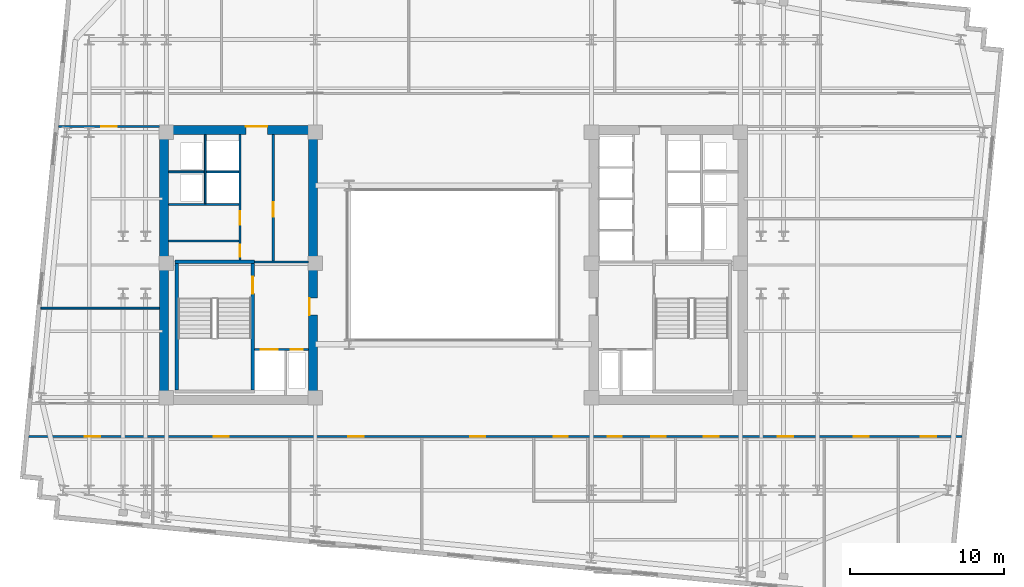
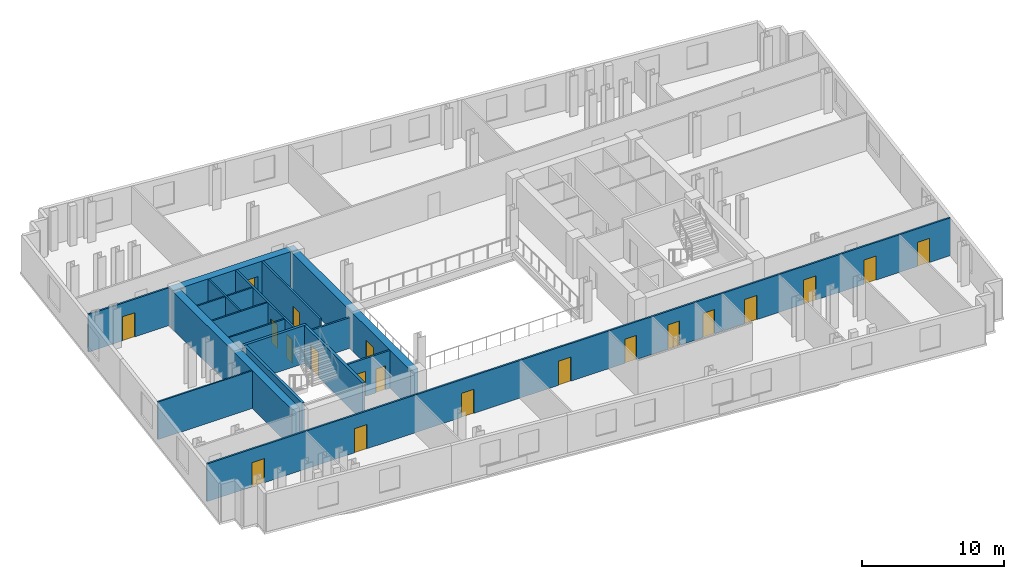
# One storey, part 4 of 9: 20 doors, 18 walls, 20 openings.
"""IFC4 building model written with IfcOpenShell, lengths in metres."""

from ifc_helpers import new_model, si_unit, direction, frame, frame_2d, origin, place, context, subcontext, project, spatial, rectangle, extrude, material, layer, layer_set, type_object, element, fill, save


model = new_model("IFC4")

# Units and contexts
model_context = context("Model", 3, precision=1e-05, world=origin(), true_north=direction((0.0, 1.0)))
body_context = subcontext(model_context, "Body", "Model", "MODEL_VIEW")
ifc_project = project(units=[si_unit("LENGTHUNIT", "METRE"), si_unit("AREAUNIT", "SQUARE_METRE"), si_unit("VOLUMEUNIT", "CUBIC_METRE"), si_unit("PLANEANGLEUNIT", "RADIAN"), si_unit("MASSUNIT", "GRAM", prefix="KILO")], contexts=[model_context])

# Site, building, storey
site_placement = place(None, origin())
site = spatial("IfcSite", under=ifc_project, at=site_placement, CompositionType="ELEMENT")
building_placement = place(site_placement, origin())
building = spatial("IfcBuilding", under=site, at=building_placement, Name="Velakula Bourse", CompositionType="ELEMENT")
storey_placement = place(building_placement, frame((0.0, 0.0, 170.75)))
storey = spatial("IfcBuildingStorey", under=building, at=storey_placement, Name="L46", CompositionType="ELEMENT", Elevation=170.75)

# Wall, opening, door
ifc_material_1 = material(Name="Concrete M50 (fck 50 MPa)", Category="concrete")
ifc_layer_1 = layer(ifc_material_1, 0.2099609375, Name="Concrete M50 (fck 50 MPa)", Category="concrete")
ifc_layer_set_1 = layer_set([ifc_layer_1], Name="Concrete M50 (fck 50 MPa)")
wall_type_1 = type_object("IfcWallType", Name="WL-CORE-210", PredefinedType="SHEAR", material=ifc_layer_set_1)
wall_1_placement = place(storey_placement, frame((-12.9951171875, -8.10009765625, 0.0), z_axis=(0.0, 0.0, 1.0), x_axis=(0.0, 1.0, 0.0)))
wall_1 = element("IfcWall", 1, at=wall_1_placement, inside=storey, type_object=wall_type_1, Name="L46 Core W Stairwell Shear Wall IN", PredefinedType="SHEAR", context=body_context, shape_type="SweptSolid", body=[
    extrude(rectangle(XDim=8.2001953125, YDim=0.2099609375, at=frame_2d((4.10009765625, 0.0))), origin(), (0.0, 0.0, 1.0), 3.27001953125),
])
opening_1_placement = place(wall_1_placement, frame((6.25, 0.0, 0.0)))
opening_1 = element("IfcOpeningElement", 2, at=opening_1_placement, cuts=wall_1, Name="Opening D-STW1", PredefinedType="OPENING", context=body_context, shape_type="SweptSolid", body=[
    extrude(rectangle(XDim=1.10009765625, YDim=2.14990234375, at=frame_2d((0.550048828125, 1.074951171875))), frame((0.0, 0.114990234375, 0.0), z_axis=(0.0, -1.0, 0.0), x_axis=(1.0, 0.0, 0.0)), (0.0, 0.0, 1.0), 0.22998046875),
])
ifc_material_2 = material(Name="Galvanised painted hollow steel fire door", Category="steel")
door_type_1 = type_object("IfcDoorType", Name="DR-FD120-1100x2150", OperationType="NOTDEFINED", PredefinedType="DOOR", material=ifc_material_2)
door_1_placement = place(opening_1_placement, origin())
door_1 = element("IfcDoor", 3, at=door_1_placement, inside=storey, type_object=door_type_1, Name="L46 Stair ST-W1 Fire Door", OperationType="SINGLE_SWING_LEFT", OverallHeight=2.14990234375, OverallWidth=1.10009765625, PredefinedType="DOOR", context=body_context, shape_type="SweptSolid", body=[
    extrude(rectangle(XDim=1.10009765625, YDim=2.14990234375, at=frame_2d((0.550048828125, 1.074951171875))), frame((0.0, 0.02490234375, 0.0), z_axis=(0.0, -1.0, 0.0), x_axis=(1.0, 0.0, 0.0)), (0.0, 0.0, 1.0), 0.050048828125),
])
fill(opening_1, door_1)

# Walls
wall_2_placement = place(storey_placement, frame((-17.925048828125, -8.10009765625, 0.0), z_axis=(0.0, 0.0, 1.0), x_axis=(0.0, 1.0, 0.0)))
element("IfcWall", 4, at=wall_2_placement, inside=storey, type_object=wall_type_1, Name="L46 Core W Stairwell Shear Wall OUT", PredefinedType="SHEAR", context=body_context, shape_type="SweptSolid", body=[
    extrude(rectangle(XDim=8.2001953125, YDim=0.2099609375, at=frame_2d((4.10009765625, 0.0))), origin(), (0.0, 0.0, 1.0), 3.27001953125),
])
wall_3_placement = place(storey_placement, frame((-12.889892578125, 0.205078125, 0.0), z_axis=(0.0, 0.0, 1.0), x_axis=(-1.0, 0.0, 0.0)))
element("IfcWall", 5, at=wall_3_placement, inside=storey, type_object=wall_type_1, Name="L46 Core W Stairwell Shear Wall N", PredefinedType="SHEAR", context=body_context, shape_type="SweptSolid", body=[
    extrude(rectangle(XDim=5.14013671875, YDim=0.2099609375, at=frame_2d((2.570068359375, 0.0))), origin(), (0.0, 0.0, 1.0), 3.27001953125),
])

# Wall, opening, door
ifc_material_3 = material(Name="Concrete M70 (fck 70 MPa)", Category="concrete")
ifc_layer_2 = layer(ifc_material_3, 0.60009765625, Name="Concrete M70 (fck 70 MPa)", Category="concrete")
ifc_layer_set_2 = layer_set([ifc_layer_2], Name="Concrete M70 (fck 70 MPa)")
wall_type_2 = type_object("IfcWallType", Name="WL-CORE-600", PredefinedType="SHEAR", material=ifc_layer_set_2)
wall_4_placement = place(storey_placement, frame((-19.050048828125, 8.75, 0.0), z_axis=(0.0, 0.0, 1.0), x_axis=(1.0, 0.0, 0.0)))
wall_4 = element("IfcWall", 6, at=wall_4_placement, inside=storey, type_object=wall_type_2, Name="L46 Core W Shear Wall N", PredefinedType="SHEAR", context=body_context, shape_type="SweptSolid", body=[
    extrude(rectangle(XDim=10.25, YDim=0.60009765625, at=frame_2d((5.125, 0.0))), origin(), (0.0, 0.0, 1.0), 3.27001953125),
])
opening_2_placement = place(wall_4_placement, frame((5.60009765625, 0.0, 0.0)))
opening_2 = element("IfcOpeningElement", 7, at=opening_2_placement, cuts=wall_4, Name="Opening D-LLW", PredefinedType="OPENING", context=body_context, shape_type="SweptSolid", body=[
    extrude(rectangle(XDim=1.39990234375, YDim=2.050048828125, at=frame_2d((0.699951171875, 1.02490234375))), frame((0.0, 0.31005859375, 0.0), z_axis=(0.0, -1.0, 0.0), x_axis=(1.0, 0.0, 0.0)), (0.0, 0.0, 1.0), 0.6201171875),
])
ifc_material_4 = material(Name="Fire-rated hardwood flush architectural door", Category="wood")
door_type_2 = type_object("IfcDoorType", Name="DR-DBL-FD60-1400", OperationType="DOUBLE_DOOR_SINGLE_SWING", PredefinedType="DOOR", material=ifc_material_4)
door_2_placement = place(opening_2_placement, origin())
door_2 = element("IfcDoor", 8, at=door_2_placement, inside=storey, type_object=door_type_2, Name="L46 Core W Lift Lobby Corridor Double Door", OperationType="DOUBLE_DOOR_SINGLE_SWING", OverallHeight=2.050048828125, OverallWidth=1.39990234375, PredefinedType="DOOR", context=body_context, shape_type="SweptSolid", body=[
    extrude(rectangle(XDim=1.39990234375, YDim=2.050048828125, at=frame_2d((0.699951171875, 1.02490234375))), frame((0.0, 0.2451171875, 0.0), z_axis=(0.0, -1.0, 0.0), x_axis=(1.0, 0.0, 0.0)), (0.0, 0.0, 1.0), 0.050048828125),
])
fill(opening_2, door_2)

# Wall
wall_5_placement = place(storey_placement, frame((-18.75, -8.449951171875, 0.0), z_axis=(0.0, 0.0, 1.0), x_axis=(0.0, 1.0, 0.0)))
element("IfcWall", 9, at=wall_5_placement, inside=storey, type_object=wall_type_2, Name="L46 Core W Shear Wall W", PredefinedType="SHEAR", context=body_context, shape_type="SweptSolid", body=[
    extrude(rectangle(XDim=16.89990234375, YDim=0.60009765625, at=frame_2d((8.449951171875, 0.0))), origin(), (0.0, 0.0, 1.0), 3.27001953125),
])

# Wall, opening, door
wall_6_placement = place(storey_placement, frame((-9.10009765625, -8.449951171875, 0.0), z_axis=(0.0, 0.0, 1.0), x_axis=(0.0, 1.0, 0.0)))
wall_6 = element("IfcWall", 10, at=wall_6_placement, inside=storey, type_object=wall_type_2, Name="L46 Core W Shear Wall E", PredefinedType="SHEAR", context=body_context, shape_type="SweptSolid", body=[
    extrude(rectangle(XDim=16.89990234375, YDim=0.60009765625, at=frame_2d((8.449951171875, 0.0))), origin(), (0.0, 0.0, 1.0), 3.27001953125),
])
opening_3_placement = place(wall_6_placement, frame((5.199951171875, 0.0, 0.0)))
opening_3 = element("IfcOpeningElement", 11, at=opening_3_placement, cuts=wall_6, Name="Opening D-FLW", PredefinedType="OPENING", context=body_context, shape_type="SweptSolid", body=[
    extrude(rectangle(XDim=1.10009765625, YDim=2.080078125, at=frame_2d((0.550048828125, 1.0400390625))), frame((0.0, 0.31005859375, 0.0), z_axis=(0.0, -1.0, 0.0), x_axis=(1.0, 0.0, 0.0)), (0.0, 0.0, 1.0), 0.6201171875),
])
door_type_3 = type_object("IfcDoorType", Name="DR-FD120-1100", OperationType="NOTDEFINED", PredefinedType="DOOR", material=ifc_material_2)
door_3_placement = place(opening_3_placement, origin())
door_3 = element("IfcDoor", 12, at=door_3_placement, inside=storey, type_object=door_type_3, Name="L46 Firefighting Lobby W Corridor Fire Door", OperationType="SINGLE_SWING_LEFT", OverallHeight=2.080078125, OverallWidth=1.10009765625, PredefinedType="DOOR", context=body_context, shape_type="SweptSolid", body=[
    extrude(rectangle(XDim=1.10009765625, YDim=2.080078125, at=frame_2d((0.550048828125, 1.0400390625))), frame((0.0, 0.2548828125, 0.0), z_axis=(0.0, -1.0, 0.0), x_axis=(1.0, 0.0, 0.0)), (0.0, 0.0, 1.0), 0.050048828125),
])
fill(opening_3, door_3)

# Walls
ifc_material_5 = material(Name="Fire-rated double-layer gypsum drywall partition", Category="gypsum")
ifc_layer_3 = layer(ifc_material_5, 0.1201171875, Name="Fire-rated double-layer gypsum drywall partition", Category="gypsum")
ifc_layer_set_3 = layer_set([ifc_layer_3], Name="Fire-rated double-layer gypsum drywall partition")
wall_type_3 = type_object("IfcWallType", Name="WL-PART-120", PredefinedType="STANDARD", material=ifc_layer_set_3)
wall_7_placement = place(storey_placement, frame((-18.449951171875, 3.919921875, 0.0), z_axis=(0.0, 0.0, 1.0), x_axis=(1.0, 0.0, 0.0)))
element("IfcWall", 13, at=wall_7_placement, inside=storey, type_object=wall_type_3, Name="L46 Interior Partition WL-CRW-L46-HI-S", PredefinedType="STANDARD", context=body_context, shape_type="SweptSolid", body=[
    extrude(rectangle(XDim=4.550048828125, YDim=0.1201171875, at=frame_2d((2.27490234375, 0.0))), origin(), (0.0, 0.0, 1.0), 3.25),
])
wall_8_placement = place(storey_placement, frame((-18.449951171875, 6.030029296875, 0.0), z_axis=(0.0, 0.0, 1.0), x_axis=(1.0, 0.0, 0.0)))
element("IfcWall", 14, at=wall_8_placement, inside=storey, type_object=wall_type_3, Name="L46 Interior Partition WL-CRW-L46-RIS-MID", PredefinedType="STANDARD", context=body_context, shape_type="SweptSolid", body=[
    extrude(rectangle(XDim=2.300048828125, YDim=0.1201171875, at=frame_2d((1.14990234375, 0.0))), origin(), (0.0, 0.0, 1.0), 3.25),
])
wall_9_placement = place(storey_placement, frame((-16.074951171875, 3.97998046875, 0.0), z_axis=(0.0, 0.0, 1.0), x_axis=(0.0, 1.0, 0.0)))
element("IfcWall", 15, at=wall_9_placement, inside=storey, type_object=wall_type_3, Name="L46 Interior Partition WL-CRW-L46-RIS-F", PredefinedType="STANDARD", context=body_context, shape_type="SweptSolid", body=[
    extrude(rectangle(XDim=4.469970703125, YDim=0.1201171875, at=frame_2d((2.23486328125, 0.0))), origin(), (0.0, 0.0, 1.0), 3.25),
])
wall_10_placement = place(storey_placement, frame((-16.0, 6.030029296875, 0.0), z_axis=(0.0, 0.0, 1.0), x_axis=(1.0, 0.0, 0.0)))
element("IfcWall", 16, at=wall_10_placement, inside=storey, type_object=wall_type_3, Name="L46 Interior Partition WL-CRW-L46-HI-DIV", PredefinedType="STANDARD", context=body_context, shape_type="SweptSolid", body=[
    extrude(rectangle(XDim=2.10009765625, YDim=0.1201171875, at=frame_2d((1.050048828125, 0.0))), origin(), (0.0, 0.0, 1.0), 3.25),
])
wall_11_placement = place(storey_placement, frame((-18.449951171875, 1.550048828125, 0.0), z_axis=(0.0, 0.0, 1.0), x_axis=(1.0, 0.0, 0.0)))
element("IfcWall", 17, at=wall_11_placement, inside=storey, type_object=wall_type_3, Name="L46 Interior Partition WL-CRW-L46-K1", PredefinedType="STANDARD", context=body_context, shape_type="SweptSolid", body=[
    extrude(rectangle(XDim=4.550048828125, YDim=0.1201171875, at=frame_2d((2.27490234375, 0.0))), origin(), (0.0, 0.0, 1.0), 3.25),
])
wall_12_placement = place(storey_placement, frame((-26.738525390625, -2.800048828125, 0.0), z_axis=(0.0, 0.0, 1.0), x_axis=(1.0, 0.0, 0.0)))
element("IfcWall", 18, at=wall_12_placement, inside=storey, type_object=wall_type_3, Name="L46 Interior Partition WL-INT-L46-W-H", PredefinedType="STANDARD", context=body_context, shape_type="SweptSolid", body=[
    extrude(rectangle(XDim=7.6884765625, YDim=0.1201171875, at=frame_2d((3.84423828125, 0.0))), origin(), (0.0, 0.0, 1.0), 3.25),
])

# Wall, openings, doors
ifc_layer_4 = layer(ifc_material_5, 0.139892578125, Name="Fire-rated double-layer gypsum drywall partition", Category="gypsum")
ifc_layer_set_4 = layer_set([ifc_layer_4], Name="Fire-rated double-layer gypsum drywall partition")
wall_type_4 = type_object("IfcWallType", Name="WL-PART-140", PredefinedType="STANDARD", material=ifc_layer_set_4)
wall_13_placement = place(storey_placement, frame((-27.539794921875, -11.1201171875, 0.0), z_axis=(0.0, 0.0, 1.0), x_axis=(1.0, 0.0, 0.0)))
wall_13 = element("IfcWall", 19, at=wall_13_placement, inside=storey, type_object=wall_type_4, Name="L46 Interior Partition WL-INT-L46-S-CORR", PredefinedType="STANDARD", context=body_context, shape_type="SweptSolid", body=[
    extrude(rectangle(XDim=60.518798828125, YDim=0.139892578125, at=frame_2d((30.25927734375, 0.0))), origin(), (0.0, 0.0, 1.0), 3.25),
])
opening_4_placement = place(wall_13_placement, frame((34.02978515625, 0.0, 0.0)))
opening_4 = element("IfcOpeningElement", 20, at=opening_4_placement, cuts=wall_13, Name="Opening D-WT1", PredefinedType="OPENING", context=body_context, shape_type="SweptSolid", body=[
    extrude(rectangle(XDim=0.919921875, YDim=2.080078125, at=frame_2d((0.4599609375, 1.0400390625))), frame((0.0, 0.079833984375, 0.0), z_axis=(0.0, -1.0, 0.0), x_axis=(1.0, 0.0, 0.0)), (0.0, 0.0, 1.0), 0.159912109375),
])
opening_5_placement = place(wall_13_placement, frame((37.52978515625, 0.0, 0.0)))
opening_5 = element("IfcOpeningElement", 21, at=opening_5_placement, cuts=wall_13, Name="Opening D-WT1", PredefinedType="OPENING", context=body_context, shape_type="SweptSolid", body=[
    extrude(rectangle(XDim=0.919921875, YDim=2.080078125, at=frame_2d((0.4599609375, 1.0400390625))), frame((0.0, 0.079833984375, 0.0), z_axis=(0.0, -1.0, 0.0), x_axis=(1.0, 0.0, 0.0)), (0.0, 0.0, 1.0), 0.159912109375),
])
opening_6_placement = place(wall_13_placement, frame((40.379638671875, 0.0, 0.0)))
opening_6 = element("IfcOpeningElement", 22, at=opening_6_placement, cuts=wall_13, Name="Opening D-WC1", PredefinedType="OPENING", context=body_context, shape_type="SweptSolid", body=[
    extrude(rectangle(XDim=0.919921875, YDim=2.080078125, at=frame_2d((0.4599609375, 1.0400390625))), frame((0.0, 0.079833984375, 0.0), z_axis=(0.0, -1.0, 0.0), x_axis=(1.0, 0.0, 0.0)), (0.0, 0.0, 1.0), 0.159912109375),
])
opening_7_placement = place(wall_13_placement, frame((3.6533203125, 0.0, 0.0)))
opening_7 = element("IfcOpeningElement", 23, at=opening_7_placement, cuts=wall_13, Name="Opening D-OF1", PredefinedType="OPENING", context=body_context, shape_type="SweptSolid", body=[
    extrude(rectangle(XDim=1.0, YDim=2.080078125, at=frame_2d((0.5, 1.0400390625))), frame((0.0, 0.079833984375, 0.0), z_axis=(0.0, -1.0, 0.0), x_axis=(1.0, 0.0, 0.0)), (0.0, 0.0, 1.0), 0.159912109375),
])
opening_8_placement = place(wall_13_placement, frame((11.997802734375, 0.0, 0.0)))
opening_8 = element("IfcOpeningElement", 24, at=opening_8_placement, cuts=wall_13, Name="Opening D-OF1", PredefinedType="OPENING", context=body_context, shape_type="SweptSolid", body=[
    extrude(rectangle(XDim=1.0, YDim=2.080078125, at=frame_2d((0.5, 1.0400390625))), frame((0.0, 0.079833984375, 0.0), z_axis=(0.0, -1.0, 0.0), x_axis=(1.0, 0.0, 0.0)), (0.0, 0.0, 1.0), 0.159912109375),
])
opening_9_placement = place(wall_13_placement, frame((20.7197265625, 0.0, 0.0)))
opening_9 = element("IfcOpeningElement", 25, at=opening_9_placement, cuts=wall_13, Name="Opening D-OF1", PredefinedType="OPENING", context=body_context, shape_type="SweptSolid", body=[
    extrude(rectangle(XDim=1.0, YDim=2.080078125, at=frame_2d((0.5, 1.0400390625))), frame((0.0, 0.079833984375, 0.0), z_axis=(0.0, -1.0, 0.0), x_axis=(1.0, 0.0, 0.0)), (0.0, 0.0, 1.0), 0.159912109375),
])
opening_10_placement = place(wall_13_placement, frame((28.619140625, 0.0, 0.0)))
opening_10 = element("IfcOpeningElement", 26, at=opening_10_placement, cuts=wall_13, Name="Opening D-OF1", PredefinedType="OPENING", context=body_context, shape_type="SweptSolid", body=[
    extrude(rectangle(XDim=1.0, YDim=2.080078125, at=frame_2d((0.5, 1.0400390625))), frame((0.0, 0.079833984375, 0.0), z_axis=(0.0, -1.0, 0.0), x_axis=(1.0, 0.0, 0.0)), (0.0, 0.0, 1.0), 0.159912109375),
])
opening_11_placement = place(wall_13_placement, frame((43.753662109375, 0.0, 0.0)))
opening_11 = element("IfcOpeningElement", 27, at=opening_11_placement, cuts=wall_13, Name="Opening D-OF1", PredefinedType="OPENING", context=body_context, shape_type="SweptSolid", body=[
    extrude(rectangle(XDim=1.0, YDim=2.080078125, at=frame_2d((0.5, 1.0400390625))), frame((0.0, 0.079833984375, 0.0), z_axis=(0.0, -1.0, 0.0), x_axis=(1.0, 0.0, 0.0)), (0.0, 0.0, 1.0), 0.159912109375),
])
opening_12_placement = place(wall_13_placement, frame((48.566650390625, 0.0, 0.0)))
opening_12 = element("IfcOpeningElement", 28, at=opening_12_placement, cuts=wall_13, Name="Opening D-OF1", PredefinedType="OPENING", context=body_context, shape_type="SweptSolid", body=[
    extrude(rectangle(XDim=1.0, YDim=2.080078125, at=frame_2d((0.5, 1.0400390625))), frame((0.0, 0.079833984375, 0.0), z_axis=(0.0, -1.0, 0.0), x_axis=(1.0, 0.0, 0.0)), (0.0, 0.0, 1.0), 0.159912109375),
])
opening_13_placement = place(wall_13_placement, frame((53.47216796875, 0.0, 0.0)))
opening_13 = element("IfcOpeningElement", 29, at=opening_13_placement, cuts=wall_13, Name="Opening D-OF1", PredefinedType="OPENING", context=body_context, shape_type="SweptSolid", body=[
    extrude(rectangle(XDim=1.0, YDim=2.080078125, at=frame_2d((0.5, 1.0400390625))), frame((0.0, 0.079833984375, 0.0), z_axis=(0.0, -1.0, 0.0), x_axis=(1.0, 0.0, 0.0)), (0.0, 0.0, 1.0), 0.159912109375),
])
opening_14_placement = place(wall_13_placement, frame((57.822509765625, 0.0, 0.0)))
opening_14 = element("IfcOpeningElement", 30, at=opening_14_placement, cuts=wall_13, Name="Opening D-OF1", PredefinedType="OPENING", context=body_context, shape_type="SweptSolid", body=[
    extrude(rectangle(XDim=1.0, YDim=2.080078125, at=frame_2d((0.5, 1.0400390625))), frame((0.0, 0.079833984375, 0.0), z_axis=(0.0, -1.0, 0.0), x_axis=(1.0, 0.0, 0.0)), (0.0, 0.0, 1.0), 0.159912109375),
])
door_type_4 = type_object("IfcDoorType", Name="DR-OFF-1000", OperationType="NOTDEFINED", PredefinedType="DOOR", material=ifc_material_4)
door_4_placement = place(opening_7_placement, origin())
door_4 = element("IfcDoor", 31, at=door_4_placement, inside=storey, type_object=door_type_4, Name="L46 Quiet Financial Library Door", OperationType="SINGLE_SWING_LEFT", OverallHeight=2.080078125, OverallWidth=1.0, PredefinedType="DOOR", context=body_context, shape_type="SweptSolid", body=[
    extrude(rectangle(XDim=1.0, YDim=2.080078125, at=frame_2d((0.5, 1.0400390625))), frame((0.0, 0.02490234375, 0.0), z_axis=(0.0, -1.0, 0.0), x_axis=(1.0, 0.0, 0.0)), (0.0, 0.0, 1.0), 0.050048828125),
])
fill(opening_7, door_4)
door_5_placement = place(opening_8_placement, origin())
door_5 = element("IfcDoor", 32, at=door_5_placement, inside=storey, type_object=door_type_4, Name="L46 Company Secretary Office Door", OperationType="SINGLE_SWING_RIGHT", OverallHeight=2.080078125, OverallWidth=1.0, PredefinedType="DOOR", context=body_context, shape_type="SweptSolid", body=[
    extrude(rectangle(XDim=1.0, YDim=2.080078125, at=frame_2d((0.5, 1.0400390625))), frame((0.0, 0.02490234375, 0.0), z_axis=(0.0, -1.0, 0.0), x_axis=(1.0, 0.0, 0.0)), (0.0, 0.0, 1.0), 0.050048828125),
])
fill(opening_8, door_5)
door_6_placement = place(opening_9_placement, origin())
door_6 = element("IfcDoor", 33, at=door_6_placement, inside=storey, type_object=door_type_4, Name="L46 Risk Review Boardroom Door", OperationType="SINGLE_SWING_LEFT", OverallHeight=2.080078125, OverallWidth=1.0, PredefinedType="DOOR", context=body_context, shape_type="SweptSolid", body=[
    extrude(rectangle(XDim=1.0, YDim=2.080078125, at=frame_2d((0.5, 1.0400390625))), frame((0.0, 0.02490234375, 0.0), z_axis=(0.0, -1.0, 0.0), x_axis=(1.0, 0.0, 0.0)), (0.0, 0.0, 1.0), 0.050048828125),
])
fill(opening_9, door_6)
door_7_placement = place(opening_10_placement, origin())
door_7 = element("IfcDoor", 34, at=door_7_placement, inside=storey, type_object=door_type_4, Name="L46 Catering Servery Pantry Door", OperationType="SINGLE_SWING_RIGHT", OverallHeight=2.080078125, OverallWidth=1.0, PredefinedType="DOOR", context=body_context, shape_type="SweptSolid", body=[
    extrude(rectangle(XDim=1.0, YDim=2.080078125, at=frame_2d((0.5, 1.0400390625))), frame((0.0, 0.02490234375, 0.0), z_axis=(0.0, -1.0, 0.0), x_axis=(1.0, 0.0, 0.0)), (0.0, 0.0, 1.0), 0.050048828125),
])
fill(opening_10, door_7)
door_8_placement = place(opening_11_placement, origin())
door_8 = element("IfcDoor", 35, at=door_8_placement, inside=storey, type_object=door_type_4, Name="L46 Derivatives Dealing Workspace Door", OperationType="SINGLE_SWING_LEFT", OverallHeight=2.080078125, OverallWidth=1.0, PredefinedType="DOOR", context=body_context, shape_type="SweptSolid", body=[
    extrude(rectangle(XDim=1.0, YDim=2.080078125, at=frame_2d((0.5, 1.0400390625))), frame((0.0, 0.02490234375, 0.0), z_axis=(0.0, -1.0, 0.0), x_axis=(1.0, 0.0, 0.0)), (0.0, 0.0, 1.0), 0.050048828125),
])
fill(opening_11, door_8)
door_9_placement = place(opening_12_placement, origin())
door_9 = element("IfcDoor", 36, at=door_9_placement, inside=storey, type_object=door_type_4, Name="L46 Broadcast Control Office Door", OperationType="SINGLE_SWING_RIGHT", OverallHeight=2.080078125, OverallWidth=1.0, PredefinedType="DOOR", context=body_context, shape_type="SweptSolid", body=[
    extrude(rectangle(XDim=1.0, YDim=2.080078125, at=frame_2d((0.5, 1.0400390625))), frame((0.0, 0.02490234375, 0.0), z_axis=(0.0, -1.0, 0.0), x_axis=(1.0, 0.0, 0.0)), (0.0, 0.0, 1.0), 0.050048828125),
])
fill(opening_12, door_9)
door_10_placement = place(opening_13_placement, origin())
door_10 = element("IfcDoor", 37, at=door_10_placement, inside=storey, type_object=door_type_4, Name="L46 Quiet Financial Library Door", OperationType="SINGLE_SWING_LEFT", OverallHeight=2.080078125, OverallWidth=1.0, PredefinedType="DOOR", context=body_context, shape_type="SweptSolid", body=[
    extrude(rectangle(XDim=1.0, YDim=2.080078125, at=frame_2d((0.5, 1.0400390625))), frame((0.0, 0.02490234375, 0.0), z_axis=(0.0, -1.0, 0.0), x_axis=(1.0, 0.0, 0.0)), (0.0, 0.0, 1.0), 0.050048828125),
])
fill(opening_13, door_10)
door_11_placement = place(opening_14_placement, origin())
door_11 = element("IfcDoor", 38, at=door_11_placement, inside=storey, type_object=door_type_4, Name="L46 Company Secretary Office Door", OperationType="SINGLE_SWING_RIGHT", OverallHeight=2.080078125, OverallWidth=1.0, PredefinedType="DOOR", context=body_context, shape_type="SweptSolid", body=[
    extrude(rectangle(XDim=1.0, YDim=2.080078125, at=frame_2d((0.5, 1.0400390625))), frame((0.0, 0.02490234375, 0.0), z_axis=(0.0, -1.0, 0.0), x_axis=(1.0, 0.0, 0.0)), (0.0, 0.0, 1.0), 0.050048828125),
])
fill(opening_14, door_11)
door_type_5 = type_object("IfcDoorType", Name="DR-WC-950", OperationType="NOTDEFINED", PredefinedType="DOOR", material=ifc_material_4)
door_12_placement = place(opening_4_placement, origin())
door_12 = element("IfcDoor", 39, at=door_12_placement, inside=storey, type_object=door_type_5, Name="L46 Male Staff Toilet Door", OperationType="SINGLE_SWING_RIGHT", OverallHeight=2.080078125, OverallWidth=0.919921875, PredefinedType="DOOR", context=body_context, shape_type="SweptSolid", body=[
    extrude(rectangle(XDim=0.919921875, YDim=2.080078125, at=frame_2d((0.4599609375, 1.0400390625))), frame((0.0, 0.02490234375, 0.0), z_axis=(0.0, -1.0, 0.0), x_axis=(1.0, 0.0, 0.0)), (0.0, 0.0, 1.0), 0.050048828125),
])
fill(opening_4, door_12)
door_13_placement = place(opening_5_placement, origin())
door_13 = element("IfcDoor", 40, at=door_13_placement, inside=storey, type_object=door_type_5, Name="L46 Female Staff Toilet Door", OperationType="SINGLE_SWING_LEFT", OverallHeight=2.080078125, OverallWidth=0.919921875, PredefinedType="DOOR", context=body_context, shape_type="SweptSolid", body=[
    extrude(rectangle(XDim=0.919921875, YDim=2.080078125, at=frame_2d((0.4599609375, 1.0400390625))), frame((0.0, 0.02490234375, 0.0), z_axis=(0.0, -1.0, 0.0), x_axis=(1.0, 0.0, 0.0)), (0.0, 0.0, 1.0), 0.050048828125),
])
fill(opening_5, door_13)
door_14_placement = place(opening_6_placement, origin())
door_14 = element("IfcDoor", 41, at=door_14_placement, inside=storey, type_object=door_type_5, Name="L46 Accessible WC Door", OperationType="SINGLE_SWING_RIGHT", OverallHeight=2.080078125, OverallWidth=0.919921875, PredefinedType="DOOR", context=body_context, shape_type="SweptSolid", body=[
    extrude(rectangle(XDim=0.919921875, YDim=2.080078125, at=frame_2d((0.4599609375, 1.0400390625))), frame((0.0, 0.02490234375, 0.0), z_axis=(0.0, -1.0, 0.0), x_axis=(1.0, 0.0, 0.0)), (0.0, 0.0, 1.0), 0.050048828125),
])
fill(opening_6, door_14)

# Wall, opening, door
wall_14_placement = place(storey_placement, frame((-25.604248046875, 8.97998046875, 0.0), z_axis=(0.0, 0.0, 1.0), x_axis=(1.0, 0.0, 0.0)))
wall_14 = element("IfcWall", 42, at=wall_14_placement, inside=storey, type_object=wall_type_4, Name="L46 Interior Partition WL-INT-L46-W-NC", PredefinedType="STANDARD", context=body_context, shape_type="SweptSolid", body=[
    extrude(rectangle(XDim=6.55419921875, YDim=0.139892578125, at=frame_2d((3.277099609375, 0.0))), origin(), (0.0, 0.0, 1.0), 3.25),
])
opening_15_placement = place(wall_14_placement, frame((2.777099609375, 0.0, 0.0)))
opening_15 = element("IfcOpeningElement", 43, at=opening_15_placement, cuts=wall_14, Name="Opening D-OF1", PredefinedType="OPENING", context=body_context, shape_type="SweptSolid", body=[
    extrude(rectangle(XDim=1.0, YDim=2.080078125, at=frame_2d((0.5, 1.0400390625))), frame((0.0, 0.079833984375, 0.0), z_axis=(0.0, -1.0, 0.0), x_axis=(1.0, 0.0, 0.0)), (0.0, 0.0, 1.0), 0.159912109375),
])
door_15_placement = place(opening_15_placement, origin())
door_15 = element("IfcDoor", 44, at=door_15_placement, inside=storey, type_object=door_type_4, Name="L46 Broadcast Control Office Door", OperationType="SINGLE_SWING_LEFT", OverallHeight=2.080078125, OverallWidth=1.0, PredefinedType="DOOR", context=body_context, shape_type="SweptSolid", body=[
    extrude(rectangle(XDim=1.0, YDim=2.080078125, at=frame_2d((0.5, 1.0400390625))), frame((0.0, 0.02490234375, 0.0), z_axis=(0.0, -1.0, 0.0), x_axis=(1.0, 0.0, 0.0)), (0.0, 0.0, 1.0), 0.050048828125),
])
fill(opening_15, door_15)

# Wall, openings, doors
ifc_material_6 = material(Name="Autoclaved aerated concrete blockwork masonry", Category="masonry")
ifc_layer_5 = layer(ifc_material_6, 0.14990234375, Name="Autoclaved aerated concrete blockwork masonry", Category="masonry")
ifc_layer_set_5 = layer_set([ifc_layer_5], Name="Autoclaved aerated concrete blockwork masonry")
wall_type_5 = type_object("IfcWallType", Name="WL-SHAFT-150", PredefinedType="STANDARD", material=ifc_layer_set_5)
wall_15_placement = place(storey_placement, frame((-12.89501953125, -5.47509765625, 0.0), z_axis=(0.0, 0.0, 1.0), x_axis=(1.0, 0.0, 0.0)))
wall_15 = element("IfcWall", 45, at=wall_15_placement, inside=storey, type_object=wall_type_5, Name="L46 Interior Partition WL-CRW-L46-FFL-N", PredefinedType="STANDARD", context=body_context, shape_type="SweptSolid", body=[
    extrude(rectangle(XDim=3.4951171875, YDim=0.14990234375, at=frame_2d((1.74755859375, 0.0))), origin(), (0.0, 0.0, 1.0), 3.25),
])
opening_16_placement = place(wall_15_placement, frame((0.419921875, 0.0, 0.0)))
opening_16 = element("IfcOpeningElement", 46, at=opening_16_placement, cuts=wall_15, Name="Opening LD-FFL-1", PredefinedType="OPENING", context=body_context, shape_type="SweptSolid", body=[
    extrude(rectangle(XDim=1.10009765625, YDim=2.14990234375, at=frame_2d((0.550048828125, 1.074951171875))), frame((0.0, 0.0849609375, 0.0), z_axis=(0.0, -1.0, 0.0), x_axis=(1.0, 0.0, 0.0)), (0.0, 0.0, 1.0), 0.169921875),
])
opening_17_placement = place(wall_15_placement, frame((2.3701171875, 0.0, 0.0)))
opening_17 = element("IfcOpeningElement", 47, at=opening_17_placement, cuts=wall_15, Name="Opening D-RS1", PredefinedType="OPENING", context=body_context, shape_type="SweptSolid", body=[
    extrude(rectangle(XDim=0.75, YDim=2.050048828125, at=frame_2d((0.375, 1.02490234375))), frame((0.0, 0.0849609375, 0.0), z_axis=(0.0, -1.0, 0.0), x_axis=(1.0, 0.0, 0.0)), (0.0, 0.0, 1.0), 0.169921875),
])
door_type_6 = type_object("IfcDoorType", Name="DR-RISER-800", OperationType="NOTDEFINED", PredefinedType="DOOR", material=ifc_material_2)
door_16_placement = place(opening_17_placement, origin())
door_16 = element("IfcDoor", 48, at=door_16_placement, inside=storey, type_object=door_type_6, Name="L46 Fire Riser Access Door", OperationType="SINGLE_SWING_LEFT", OverallHeight=2.050048828125, OverallWidth=0.75, PredefinedType="DOOR", context=body_context, shape_type="SweptSolid", body=[
    extrude(rectangle(XDim=0.75, YDim=2.050048828125, at=frame_2d((0.375, 1.02490234375))), frame((0.0, 0.02490234375, 0.0), z_axis=(0.0, -1.0, 0.0), x_axis=(1.0, 0.0, 0.0)), (0.0, 0.0, 1.0), 0.050048828125),
])
fill(opening_17, door_16)
ifc_material_7 = material(Name="Brushed grade 316 stainless steel", Category="steel")
door_type_7 = type_object("IfcDoorType", Name="DR-SLIDE-FFL-1100", OperationType="DOUBLE_DOOR_SLIDING", PredefinedType="DOOR", material=ifc_material_7)
door_17_placement = place(opening_16_placement, origin())
door_17 = element("IfcDoor", 49, at=door_17_placement, inside=storey, type_object=door_type_7, Name="L46 Firefighting Lift FFL-1 Sliding Landing Door", OperationType="DOUBLE_DOOR_SLIDING", OverallHeight=2.14990234375, OverallWidth=1.10009765625, PredefinedType="DOOR", context=body_context, shape_type="SweptSolid", body=[
    extrude(rectangle(XDim=1.10009765625, YDim=2.14990234375, at=frame_2d((0.550048828125, 1.074951171875))), frame((0.0, 0.02490234375, 0.0), z_axis=(0.0, -1.0, 0.0), x_axis=(1.0, 0.0, 0.0)), (0.0, 0.0, 1.0), 0.050048828125),
])
fill(opening_16, door_17)

# Wall
wall_16_placement = place(storey_placement, frame((-12.889892578125, 0.18994140625, 0.0), z_axis=(0.0, 0.0, 1.0), x_axis=(1.0, 0.0, 0.0)))
element("IfcWall", 50, at=wall_16_placement, inside=storey, type_object=wall_type_5, Name="L46 Interior Partition WL-CRW-L46-FF-TOP", PredefinedType="STANDARD", context=body_context, shape_type="SweptSolid", body=[
    extrude(rectangle(XDim=3.489990234375, YDim=0.14990234375, at=frame_2d((1.7451171875, 0.0))), origin(), (0.0, 0.0, 1.0), 2.64501953125),
])

# Wall, opening, door
wall_17_placement = place(storey_placement, frame((-11.675048828125, 0.27001953125, 0.0), z_axis=(0.0, 0.0, 1.0), x_axis=(0.0, 1.0, 0.0)))
wall_17 = element("IfcWall", 51, at=wall_17_placement, inside=storey, type_object=wall_type_5, Name="L46 Interior Partition WL-CRW-L46-BANK-F", PredefinedType="STANDARD", context=body_context, shape_type="SweptSolid", body=[
    extrude(rectangle(XDim=8.179931640625, YDim=0.14990234375, at=frame_2d((4.08984375, 0.0))), origin(), (0.0, 0.0, 1.0), 3.25),
])
opening_18_placement = place(wall_17_placement, frame((2.85009765625, 0.0, 0.0)))
opening_18 = element("IfcOpeningElement", 52, at=opening_18_placement, cuts=wall_17, Name="Opening D-RC4", PredefinedType="OPENING", context=body_context, shape_type="SweptSolid", body=[
    extrude(rectangle(XDim=0.949951171875, YDim=2.050048828125, at=frame_2d((0.47509765625, 1.02490234375))), frame((0.0, 0.0849609375, 0.0), z_axis=(0.0, -1.0, 0.0), x_axis=(1.0, 0.0, 0.0)), (0.0, 0.0, 1.0), 0.169921875),
])
door_type_8 = type_object("IfcDoorType", Name="DR-FD60-950x2050", OperationType="NOTDEFINED", PredefinedType="DOOR", material=ifc_material_4)
door_18_placement = place(opening_18_placement, origin())
door_18 = element("IfcDoor", 53, at=door_18_placement, inside=storey, type_object=door_type_8, Name="L46 Reclaimed Multi-Bay Archive Room Door", OperationType="SINGLE_SWING_RIGHT", OverallHeight=2.050048828125, OverallWidth=0.949951171875, PredefinedType="DOOR", context=body_context, shape_type="SweptSolid", body=[
    extrude(rectangle(XDim=0.949951171875, YDim=2.050048828125, at=frame_2d((0.47509765625, 1.02490234375))), frame((0.0, 0.02490234375, 0.0), z_axis=(0.0, -1.0, 0.0), x_axis=(1.0, 0.0, 0.0)), (0.0, 0.0, 1.0), 0.050048828125),
])
fill(opening_18, door_18)

# Wall, openings, doors
wall_18_placement = place(storey_placement, frame((-13.824951171875, 0.27001953125, 0.0), z_axis=(0.0, 0.0, 1.0), x_axis=(0.0, 1.0, 0.0)))
wall_18 = element("IfcWall", 54, at=wall_18_placement, inside=storey, type_object=wall_type_5, Name="L46 Interior Partition WL-CRW-L46-OUT-F", PredefinedType="STANDARD", context=body_context, shape_type="SweptSolid", body=[
    extrude(rectangle(XDim=8.179931640625, YDim=0.14990234375, at=frame_2d((4.08984375, 0.0))), origin(), (0.0, 0.0, 1.0), 3.25),
])
opening_19_placement = place(wall_18_placement, frame((0.25, 0.0, 0.0)))
opening_19 = element("IfcOpeningElement", 55, at=opening_19_placement, cuts=wall_18, Name="Opening D-CS1", PredefinedType="OPENING", context=body_context, shape_type="SweptSolid", body=[
    extrude(rectangle(XDim=0.800048828125, YDim=2.050048828125, at=frame_2d((0.39990234375, 1.02490234375))), frame((0.0, 0.0849609375, 0.0), z_axis=(0.0, -1.0, 0.0), x_axis=(1.0, 0.0, 0.0)), (0.0, 0.0, 1.0), 0.169921875),
])
opening_20_placement = place(wall_18_placement, frame((2.35009765625, 0.0, 0.0)))
opening_20 = element("IfcOpeningElement", 56, at=opening_20_placement, cuts=wall_18, Name="Opening D-CW1", PredefinedType="OPENING", context=body_context, shape_type="SweptSolid", body=[
    extrude(rectangle(XDim=0.85009765625, YDim=2.050048828125, at=frame_2d((0.425048828125, 1.02490234375))), frame((0.0, 0.0849609375, 0.0), z_axis=(0.0, -1.0, 0.0), x_axis=(1.0, 0.0, 0.0)), (0.0, 0.0, 1.0), 0.169921875),
])
door_type_9 = type_object("IfcDoorType", Name="DR-INT-850", OperationType="NOTDEFINED", PredefinedType="DOOR", material=ifc_material_4)
door_19_placement = place(opening_20_placement, origin())
door_19 = element("IfcDoor", 57, at=door_19_placement, inside=storey, type_object=door_type_9, Name="L46 Core Janitor Closet Door", OperationType="SINGLE_SWING_RIGHT", OverallHeight=2.050048828125, OverallWidth=0.85009765625, PredefinedType="DOOR", context=body_context, shape_type="SweptSolid", body=[
    extrude(rectangle(XDim=0.85009765625, YDim=2.050048828125, at=frame_2d((0.425048828125, 1.02490234375))), frame((0.0, 0.02490234375, 0.0), z_axis=(0.0, -1.0, 0.0), x_axis=(1.0, 0.0, 0.0)), (0.0, 0.0, 1.0), 0.050048828125),
])
fill(opening_20, door_19)
door_type_10 = type_object("IfcDoorType", Name="DR-RISER-800x2050", OperationType="NOTDEFINED", PredefinedType="DOOR", material=ifc_material_2)
door_20_placement = place(opening_19_placement, origin())
door_20 = element("IfcDoor", 58, at=door_20_placement, inside=storey, type_object=door_type_10, Name="L46 Core Cleaner Store Door", OperationType="SINGLE_SWING_LEFT", OverallHeight=2.050048828125, OverallWidth=0.800048828125, PredefinedType="DOOR", context=body_context, shape_type="SweptSolid", body=[
    extrude(rectangle(XDim=0.800048828125, YDim=2.050048828125, at=frame_2d((0.39990234375, 1.02490234375))), frame((0.0, 0.02490234375, 0.0), z_axis=(0.0, -1.0, 0.0), x_axis=(1.0, 0.0, 0.0)), (0.0, 0.0, 1.0), 0.050048828125),
])
fill(opening_19, door_20)

save(model, "model.ifc")
